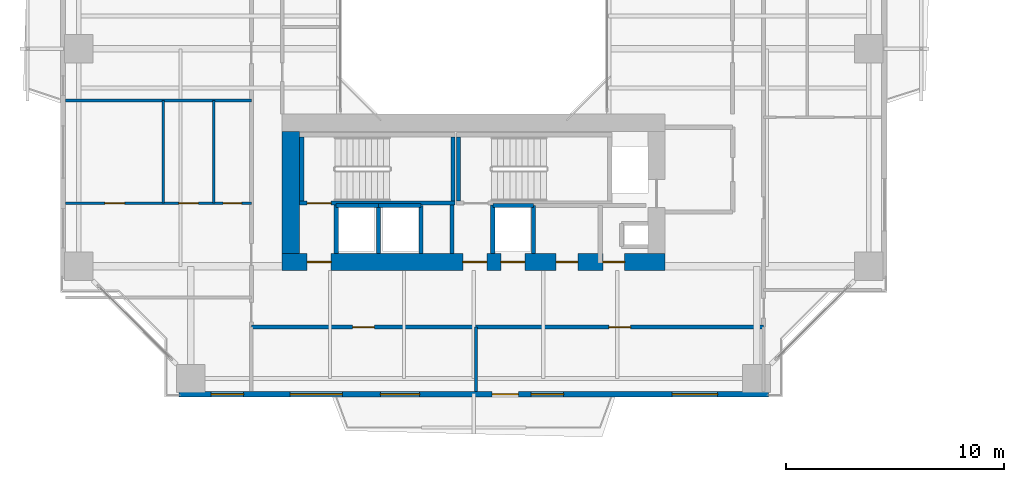
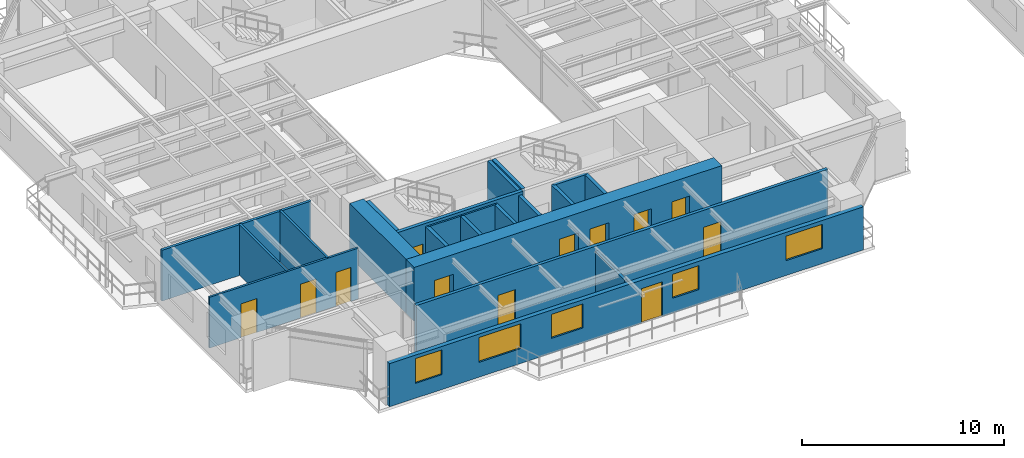
# One storey, part 12 of 24: 22 walls, 12 doors, 5 windows, 17 openings.
"""IFC4 building model written with IfcOpenShell, lengths in metres."""

from ifc_helpers import new_model, si_unit, direction, frame, frame_2d, origin, place, context, subcontext, project, spatial, rectangle, extrude, source, transform, mapped, material, layer, layer_set, type_object, element, fill, save


model = new_model("IFC4")

# Units and contexts
model_context = context("Model", 3, precision=1e-05, world=origin(), true_north=direction((0.0, 1.0)))
body_context = subcontext(model_context, "Body", "Model", "MODEL_VIEW")
ifc_project = project(units=[si_unit("LENGTHUNIT", "METRE"), si_unit("AREAUNIT", "SQUARE_METRE"), si_unit("VOLUMEUNIT", "CUBIC_METRE"), si_unit("PLANEANGLEUNIT", "RADIAN"), si_unit("MASSUNIT", "GRAM", prefix="KILO"), si_unit("THERMODYNAMICTEMPERATUREUNIT", "KELVIN"), si_unit("POWERUNIT", "WATT")], contexts=[model_context])

# Site, building, storey
site_placement = place(None, origin())
site = spatial("IfcSite", under=ifc_project, at=site_placement, CompositionType="ELEMENT")
building_placement = place(site_placement, origin())
building = spatial("IfcBuilding", under=site, at=building_placement, Name="Qiaomeng Ring Towers", CompositionType="ELEMENT")
storey_placement = place(building_placement, frame((0.0, 0.0, 69.75)))
storey = spatial("IfcBuildingStorey", under=building, at=storey_placement, Name="L19", CompositionType="ELEMENT", Elevation=69.75)

# Wall, openings, windows, door
ifc_material_1 = material(Name="Precast concrete C40", Category="concrete")
ifc_layer_1 = layer(ifc_material_1, 0.25, Name="Precast concrete C40")
ifc_layer_set_1 = layer_set([ifc_layer_1], Name="Precast concrete C40")
wall_type_1 = type_object("IfcWallType", Name="ARC-WL-EW1", PredefinedType="STANDARD", material=ifc_layer_set_1)
wall_1_placement = place(storey_placement, frame((5.449951171875, 4.125, 0.0), z_axis=(0.0, 0.0, 1.0), x_axis=(1.0, 0.0, 0.0)))
wall_1 = element("IfcWall", 1, at=wall_1_placement, inside=storey, type_object=wall_type_1, Name="L19 Tower 1 S Exterior Wall", PredefinedType="STANDARD", context=body_context, shape_type="SweptSolid", body=[
    extrude(rectangle(XDim=27.10009765625, YDim=0.25, at=frame_2d((13.550048828125, 0.0))), origin(), (0.0, 0.0, 1.0), 2.610107421875),
])
opening_1_placement = place(wall_1_placement, frame((14.39990234375, 0.0, 0.0)))
opening_1 = element("IfcOpeningElement", 2, at=opening_1_placement, cuts=wall_1, Name="Opening BD1", PredefinedType="OPENING", context=body_context, shape_type="SweptSolid", body=[
    extrude(rectangle(XDim=1.199951171875, YDim=2.10009765625, at=frame_2d((0.60009765625, 1.050048828125))), frame((0.0, 0.135009765625, 0.0), z_axis=(0.0, -1.0, 0.0), x_axis=(1.0, 0.0, 0.0)), (0.0, 0.0, 1.0), 0.27001953125),
])
opening_2_placement = place(wall_1_placement, frame((1.47998046875, 0.0, 0.89990234375)))
opening_2 = element("IfcOpeningElement", 3, at=opening_2_placement, cuts=wall_1, Name="Opening WN2", PredefinedType="OPENING", context=body_context, shape_type="SweptSolid", body=[
    extrude(rectangle(XDim=1.5, YDim=1.5, at=frame_2d((0.75, 0.75))), frame((0.0, 0.135009765625, 0.0), z_axis=(0.0, -1.0, 0.0), x_axis=(1.0, 0.0, 0.0)), (0.0, 0.0, 1.0), 0.27001953125),
])
opening_3_placement = place(wall_1_placement, frame((9.262939453125, 0.0, 0.89990234375)))
opening_3 = element("IfcOpeningElement", 4, at=opening_3_placement, cuts=wall_1, Name="Opening WN1", PredefinedType="OPENING", context=body_context, shape_type="SweptSolid", body=[
    extrude(rectangle(XDim=1.800048828125, YDim=1.449951171875, at=frame_2d((0.89990234375, 0.72509765625))), frame((0.0, 0.135009765625, 0.0), z_axis=(0.0, -1.0, 0.0), x_axis=(1.0, 0.0, 0.0)), (0.0, 0.0, 1.0), 0.27001953125),
])
opening_4_placement = place(wall_1_placement, frame((16.18798828125, 0.0, 0.89990234375)))
opening_4 = element("IfcOpeningElement", 5, at=opening_4_placement, cuts=wall_1, Name="Opening WN2", PredefinedType="OPENING", context=body_context, shape_type="SweptSolid", body=[
    extrude(rectangle(XDim=1.5, YDim=1.449951171875, at=frame_2d((0.75, 0.72509765625))), frame((0.0, 0.135009765625, 0.0), z_axis=(0.0, -1.0, 0.0), x_axis=(1.0, 0.0, 0.0)), (0.0, 0.0, 1.0), 0.27001953125),
])
opening_5_placement = place(wall_1_placement, frame((22.6630859375, 0.0, 0.89990234375)))
opening_5 = element("IfcOpeningElement", 6, at=opening_5_placement, cuts=wall_1, Name="Opening WN4", PredefinedType="OPENING", context=body_context, shape_type="SweptSolid", body=[
    extrude(rectangle(XDim=2.10009765625, YDim=1.47998046875, at=frame_2d((1.050048828125, 0.739990234375))), frame((0.0, 0.135009765625, 0.0), z_axis=(0.0, -1.0, 0.0), x_axis=(1.0, 0.0, 0.0)), (0.0, 0.0, 1.0), 0.27001953125),
])
opening_6_placement = place(wall_1_placement, frame((5.114013671875, 0.0, 0.89990234375)))
opening_6 = element("IfcOpeningElement", 7, at=opening_6_placement, cuts=wall_1, Name="Opening WN6", PredefinedType="OPENING", context=body_context, shape_type="SweptSolid", body=[
    extrude(rectangle(XDim=2.39990234375, YDim=1.5, at=frame_2d((1.199951171875, 0.75))), frame((0.0, 0.135009765625, 0.0), z_axis=(0.0, -1.0, 0.0), x_axis=(1.0, 0.0, 0.0)), (0.0, 0.0, 1.0), 0.27001953125),
])
ifc_material_2 = material(Name="Low-E dark-grey laminated double glazing", Category="glass")
window_type_1 = type_object("IfcWindowType", Name="ARC-WN-2", PartitioningType="DOUBLE_PANEL_VERTICAL", PredefinedType="WINDOW", material=ifc_material_2)
shared_shape_1 = source(origin(), body_context, "Body", "SweptSolid", [
    extrude(rectangle(XDim=1.5, YDim=1.449951171875, at=frame_2d((0.75, 0.72509765625))), frame((0.0, 0.030029296875, 0.0), z_axis=(0.0, -1.0, 0.0), x_axis=(1.0, 0.0, 0.0)), (0.0, 0.0, 1.0), 0.06005859375),
])
window_1_placement = place(opening_4_placement, origin())
window_1 = element("IfcWindow", 8, at=window_1_placement, inside=storey, type_object=window_type_1, Name="L19 Exterior Window WN2", OverallHeight=1.449951171875, OverallWidth=1.5, PartitioningType="DOUBLE_PANEL_VERTICAL", PredefinedType="WINDOW", context=body_context, shape_type="MappedRepresentation", body=[
    mapped(shared_shape_1, transform((0.0, 0.0, 0.0), x_axis=(1.0, 0.0, 0.0), y_axis=(0.0, 1.0, 0.0), z_axis=(0.0, 0.0, 1.0), scale=1.0)),
])
fill(opening_4, window_1)
window_type_2 = type_object("IfcWindowType", Name="ARC-WN-4", PartitioningType="TRIPLE_PANEL_VERTICAL", PredefinedType="WINDOW", material=ifc_material_2)
shared_shape_2 = source(origin(), body_context, "Body", "SweptSolid", [
    extrude(rectangle(XDim=2.10009765625, YDim=1.47998046875, at=frame_2d((1.050048828125, 0.739990234375))), frame((0.0, 0.030029296875, 0.0), z_axis=(0.0, -1.0, 0.0), x_axis=(1.0, 0.0, 0.0)), (0.0, 0.0, 1.0), 0.06005859375),
])
window_2_placement = place(opening_5_placement, origin())
window_2 = element("IfcWindow", 9, at=window_2_placement, inside=storey, type_object=window_type_2, Name="L19 Exterior Window WN4", OverallHeight=1.47998046875, OverallWidth=2.10009765625, PartitioningType="TRIPLE_PANEL_VERTICAL", PredefinedType="WINDOW", context=body_context, shape_type="MappedRepresentation", body=[
    mapped(shared_shape_2, transform((0.0, 0.0, 0.0), x_axis=(1.0, 0.0, 0.0), y_axis=(0.0, 1.0, 0.0), z_axis=(0.0, 0.0, 1.0), scale=1.0)),
])
fill(opening_5, window_2)
window_type_3 = type_object("IfcWindowType", Name="ARC-WN-1", PartitioningType="DOUBLE_PANEL_VERTICAL", PredefinedType="WINDOW", material=ifc_material_2)
shared_shape_3 = source(origin(), body_context, "Body", "SweptSolid", [
    extrude(rectangle(XDim=1.800048828125, YDim=1.449951171875, at=frame_2d((0.89990234375, 0.72509765625))), frame((0.0, 0.030029296875, 0.0), z_axis=(0.0, -1.0, 0.0), x_axis=(1.0, 0.0, 0.0)), (0.0, 0.0, 1.0), 0.06005859375),
])
window_3_placement = place(opening_3_placement, origin())
window_3 = element("IfcWindow", 10, at=window_3_placement, inside=storey, type_object=window_type_3, Name="L19 Exterior Window WN1", OverallHeight=1.449951171875, OverallWidth=1.800048828125, PartitioningType="DOUBLE_PANEL_VERTICAL", PredefinedType="WINDOW", context=body_context, shape_type="MappedRepresentation", body=[
    mapped(shared_shape_3, transform((0.0, 0.0, 0.0), x_axis=(1.0, 0.0, 0.0), y_axis=(0.0, 1.0, 0.0), z_axis=(0.0, 0.0, 1.0), scale=1.0)),
])
fill(opening_3, window_3)
door_type_1 = type_object("IfcDoorType", Name="ARC-DR-BD1", OperationType="NOTDEFINED", PredefinedType="DOOR", material=ifc_material_2)
shared_shape_4 = source(origin(), body_context, "Body", "SweptSolid", [
    extrude(rectangle(XDim=1.199951171875, YDim=2.10009765625, at=frame_2d((0.60009765625, 1.050048828125))), frame((0.0, 0.02490234375, 0.0), z_axis=(0.0, -1.0, 0.0), x_axis=(1.0, 0.0, 0.0)), (0.0, 0.0, 1.0), 0.050048828125),
])
door_1_placement = place(opening_1_placement, frame((1.199951171875, 0.0, 0.0), z_axis=(0.0, 0.0, 1.0), x_axis=(-1.0, 0.0, 0.0)))
door_1 = element("IfcDoor", 11, at=door_1_placement, inside=storey, type_object=door_type_1, Name="L19 S Balcony Glazed Door", OperationType="SINGLE_SWING_LEFT", OverallHeight=2.10009765625, OverallWidth=1.199951171875, PredefinedType="DOOR", context=body_context, shape_type="MappedRepresentation", body=[
    mapped(shared_shape_4, transform((0.0, 0.0, 0.0), x_axis=(1.0, 0.0, 0.0), y_axis=(0.0, 1.0, 0.0), z_axis=(0.0, 0.0, 1.0), scale=1.0)),
])
fill(opening_1, door_1)
shared_shape_5 = source(origin(), body_context, "Body", "SweptSolid", [
    extrude(rectangle(XDim=1.5, YDim=1.5, at=frame_2d((0.75, 0.75))), frame((0.0, 0.030029296875, 0.0), z_axis=(0.0, -1.0, 0.0), x_axis=(1.0, 0.0, 0.0)), (0.0, 0.0, 1.0), 0.06005859375),
])
window_4_placement = place(opening_2_placement, origin())
window_4 = element("IfcWindow", 12, at=window_4_placement, inside=storey, type_object=window_type_1, Name="L19 Exterior Window WN6", OverallHeight=1.5, OverallWidth=1.5, PartitioningType="TRIPLE_PANEL_VERTICAL", PredefinedType="WINDOW", context=body_context, shape_type="MappedRepresentation", body=[
    mapped(shared_shape_5, transform((0.0, 0.0, 0.0), x_axis=(1.0, 0.0, 0.0), y_axis=(0.0, 1.0, 0.0), z_axis=(0.0, 0.0, 1.0), scale=1.0)),
])
fill(opening_2, window_4)
window_type_4 = type_object("IfcWindowType", Name="ARC-WN-6", PartitioningType="TRIPLE_PANEL_VERTICAL", PredefinedType="WINDOW", material=ifc_material_2)
shared_shape_6 = source(origin(), body_context, "Body", "SweptSolid", [
    extrude(rectangle(XDim=2.39990234375, YDim=1.5, at=frame_2d((1.199951171875, 0.75))), frame((0.0, 0.030029296875, 0.0), z_axis=(0.0, -1.0, 0.0), x_axis=(1.0, 0.0, 0.0)), (0.0, 0.0, 1.0), 0.06005859375),
])
window_5_placement = place(opening_6_placement, origin())
window_5 = element("IfcWindow", 13, at=window_5_placement, inside=storey, type_object=window_type_4, Name="L19 Exterior Window WN6", OverallHeight=1.5, OverallWidth=2.39990234375, PartitioningType="TRIPLE_PANEL_VERTICAL", PredefinedType="WINDOW", context=body_context, shape_type="MappedRepresentation", body=[
    mapped(shared_shape_6, transform((0.0, 0.0, 0.0), x_axis=(1.0, 0.0, 0.0), y_axis=(0.0, 1.0, 0.0), z_axis=(0.0, 0.0, 1.0), scale=1.0)),
])
fill(opening_6, window_5)

# Walls
ifc_material_3 = material(Name="Autoclaved aerated concrete block", Category="concrete")
ifc_layer_2 = layer(ifc_material_3, 0.199951171875, Name="Autoclaved aerated concrete block")
ifc_layer_set_2 = layer_set([ifc_layer_2], Name="Autoclaved aerated concrete block")
wall_type_2 = type_object("IfcWallType", Name="ARC-WL-PW1", PredefinedType="PARTITIONING", material=ifc_layer_set_2)
for number, where, z_axis, x_axis, name in (
    (14, (12.679931640625, 10.60009765625, 0.0), (0.0, 0.0, 1.0), (0.0, 1.0, 0.0), "L19 Interior Wall PW1"),
    (15, (18.0, 10.60009765625, 0.0), (0.0, 0.0, 1.0), (0.0, 1.0, 0.0), "L19 Interior Wall PW1"),
    (16, (19.8798828125, 10.60009765625, 0.0), (0.0, 0.0, 1.0), (0.0, 1.0, 0.0), "L19 Interior Wall PW1"),
):
    element("IfcWall", number, at=place(storey_placement, frame(where, z_axis=z_axis, x_axis=x_axis)), inside=storey, type_object=wall_type_2, Name=name, PredefinedType="PARTITIONING", context=body_context, shape_type="SweptSolid", body=[
        extrude(rectangle(XDim=2.2099609375, YDim=0.199951171875, at=frame_2d((1.10498046875, 0.0))), origin(), (0.0, 0.0, 1.0), 3.070068359375),
    ])
wall_2_placement = place(storey_placement, frame((21.75, 10.60009765625, 0.0), z_axis=(0.0, 0.0, 1.0), x_axis=(0.0, 1.0, 0.0)))
element("IfcWall", 17, at=wall_2_placement, inside=storey, type_object=wall_type_2, Name="L19 Interior Wall PW1", PredefinedType="PARTITIONING", context=body_context, shape_type="SweptSolid", body=[
    extrude(rectangle(XDim=2.199951171875, YDim=0.199951171875, at=frame_2d((1.10009765625, 0.0))), origin(), (0.0, 0.0, 1.0), 3.070068359375),
])

# Wall, openings, doors
ifc_layer_3 = layer(ifc_material_3, 0.179931640625, Name="Autoclaved aerated concrete block")
ifc_layer_set_3 = layer_set([ifc_layer_3], Name="Autoclaved aerated concrete block")
wall_type_3 = type_object("IfcWallType", Name="ARC-WL-PW2", PredefinedType="PARTITIONING", material=ifc_layer_set_3)
wall_3_placement = place(storey_placement, frame((8.780029296875, 7.2099609375, 0.0), z_axis=(0.0, 0.0, 1.0), x_axis=(1.0, 0.0, 0.0)))
wall_3 = element("IfcWall", 18, at=wall_3_placement, inside=storey, type_object=wall_type_3, Name="L19 Interior Wall PW2", PredefinedType="PARTITIONING", context=body_context, shape_type="SweptSolid", body=[
    extrude(rectangle(XDim=23.5400390625, YDim=0.179931640625, at=frame_2d((11.77001953125, 0.0))), origin(), (0.0, 0.0, 1.0), 3.070068359375),
])
opening_7_placement = place(wall_3_placement, frame((4.659912109375, 0.0, 0.0)))
opening_7 = element("IfcOpeningElement", 19, at=opening_7_placement, cuts=wall_3, Name="Opening FD4", PredefinedType="OPENING", context=body_context, shape_type="SweptSolid", body=[
    extrude(rectangle(XDim=1.0, YDim=2.050048828125, at=frame_2d((0.5, 1.02490234375))), frame((0.0, 0.099853515625, 0.0), z_axis=(0.0, -1.0, 0.0), x_axis=(1.0, 0.0, 0.0)), (0.0, 0.0, 1.0), 0.199951171875),
])
opening_8_placement = place(wall_3_placement, frame((16.429931640625, 0.0, 0.0)))
opening_8 = element("IfcOpeningElement", 20, at=opening_8_placement, cuts=wall_3, Name="Opening FD4", PredefinedType="OPENING", context=body_context, shape_type="SweptSolid", body=[
    extrude(rectangle(XDim=1.0, YDim=2.050048828125, at=frame_2d((0.5, 1.02490234375))), frame((0.0, 0.099853515625, 0.0), z_axis=(0.0, -1.0, 0.0), x_axis=(1.0, 0.0, 0.0)), (0.0, 0.0, 1.0), 0.199951171875),
])
ifc_material_4 = material(Name="Engineered fire-rated oak timber", Category="wood")
door_type_2 = type_object("IfcDoorType", Name="ARC-DR-FD4", OperationType="NOTDEFINED", PredefinedType="DOOR", material=ifc_material_4)
shared_shape_7 = source(origin(), body_context, "Body", "SweptSolid", [
    extrude(rectangle(XDim=1.0, YDim=2.050048828125, at=frame_2d((0.5, 1.02490234375))), frame((0.0, 0.02490234375, 0.0), z_axis=(0.0, -1.0, 0.0), x_axis=(1.0, 0.0, 0.0)), (0.0, 0.0, 1.0), 0.050048828125),
])
door_2_placement = place(opening_7_placement, origin())
door_2 = element("IfcDoor", 21, at=door_2_placement, inside=storey, type_object=door_type_2, Name="L19 Door FD4", OperationType="SINGLE_SWING_LEFT", OverallHeight=2.050048828125, OverallWidth=1.0, PredefinedType="DOOR", context=body_context, shape_type="MappedRepresentation", body=[
    mapped(shared_shape_7, transform((0.0, 0.0, 0.0), x_axis=(1.0, 0.0, 0.0), y_axis=(0.0, 1.0, 0.0), z_axis=(0.0, 0.0, 1.0), scale=1.0)),
])
fill(opening_7, door_2)
door_3_placement = place(opening_8_placement, origin())
door_3 = element("IfcDoor", 22, at=door_3_placement, inside=storey, type_object=door_type_2, Name="L19 Door FD4", OperationType="SINGLE_SWING_RIGHT", OverallHeight=2.050048828125, OverallWidth=1.0, PredefinedType="DOOR", context=body_context, shape_type="MappedRepresentation", body=[
    mapped(shared_shape_7, transform((0.0, 0.0, 0.0), x_axis=(1.0, 0.0, 0.0), y_axis=(0.0, 1.0, 0.0), z_axis=(0.0, 0.0, 1.0), scale=1.0)),
])
fill(opening_8, door_3)

# Walls
ifc_material_5 = material(Name="Gypsum fireboard steel-stud partition", Category="steel")
ifc_layer_4 = layer(ifc_material_5, 0.14990234375, Name="Gypsum fireboard steel-stud partition")
ifc_layer_set_4 = layer_set([ifc_layer_4], Name="Gypsum fireboard steel-stud partition")
wall_type_4 = type_object("IfcWallType", Name="ARC-WL-PW3", PredefinedType="PARTITIONING", material=ifc_layer_set_4)
wall_4_placement = place(storey_placement, frame((19.10009765625, 4.25, 0.0), z_axis=(0.0, 0.0, 1.0), x_axis=(0.0, 1.0, 0.0)))
element("IfcWall", 23, at=wall_4_placement, inside=storey, type_object=wall_type_4, Name="L19 Interior Wall PW3", PredefinedType="PARTITIONING", context=body_context, shape_type="SweptSolid", body=[
    extrude(rectangle(XDim=2.9599609375, YDim=0.14990234375, at=frame_2d((1.47998046875, 0.0))), origin(), (0.0, 0.0, 1.0), 2.764892578125),
])
wall_5_placement = place(storey_placement, frame((0.25, 17.6201171875, 0.0), z_axis=(0.0, 0.0, 1.0), x_axis=(1.0, 0.0, 0.0)))
element("IfcWall", 24, at=wall_5_placement, inside=storey, type_object=wall_type_4, Name="L19 Interior Wall PW3", PredefinedType="PARTITIONING", context=body_context, shape_type="SweptSolid", body=[
    extrude(rectangle(XDim=8.530029296875, YDim=0.14990234375, at=frame_2d((4.26513671875, 0.0))), origin(), (0.0, 0.0, 1.0), 3.070068359375),
])

# Wall, openings, doors
ifc_material_6 = material(Name="Moisture-resistant gypsum steel-stud partition", Category="steel")
ifc_layer_5 = layer(ifc_material_6, 0.1201171875, Name="Moisture-resistant gypsum steel-stud partition")
ifc_layer_set_5 = layer_set([ifc_layer_5], Name="Moisture-resistant gypsum steel-stud partition")
wall_type_5 = type_object("IfcWallType", Name="ARC-WL-PW4", PredefinedType="PLUMBINGWALL", material=ifc_layer_set_5)
wall_6_placement = place(storey_placement, frame((0.25, 12.909912109375, 0.0), z_axis=(0.0, 0.0, 1.0), x_axis=(1.0, 0.0, 0.0)))
wall_6 = element("IfcWall", 25, at=wall_6_placement, inside=storey, type_object=wall_type_5, Name="L19 Interior Wall PW4", PredefinedType="PLUMBINGWALL", context=body_context, shape_type="SweptSolid", body=[
    extrude(rectangle(XDim=8.530029296875, YDim=0.1201171875, at=frame_2d((4.26513671875, 0.0))), origin(), (0.0, 0.0, 1.0), 3.070068359375),
])
opening_9_placement = place(wall_6_placement, frame((1.804931640625, 0.0, 0.0)))
opening_9 = element("IfcOpeningElement", 26, at=opening_9_placement, cuts=wall_6, Name="Opening ID1", PredefinedType="OPENING", context=body_context, shape_type="SweptSolid", body=[
    extrude(rectangle(XDim=0.89990234375, YDim=2.050048828125, at=frame_2d((0.449951171875, 1.02490234375))), frame((0.0, 0.070068359375, 0.0), z_axis=(0.0, -1.0, 0.0), x_axis=(1.0, 0.0, 0.0)), (0.0, 0.0, 1.0), 0.14013671875),
])
opening_10_placement = place(wall_6_placement, frame((5.199951171875, 0.0, 0.0)))
opening_10 = element("IfcOpeningElement", 27, at=opening_10_placement, cuts=wall_6, Name="Opening ID1", PredefinedType="OPENING", context=body_context, shape_type="SweptSolid", body=[
    extrude(rectangle(XDim=0.89990234375, YDim=2.050048828125, at=frame_2d((0.449951171875, 1.02490234375))), frame((0.0, 0.070068359375, 0.0), z_axis=(0.0, -1.0, 0.0), x_axis=(1.0, 0.0, 0.0)), (0.0, 0.0, 1.0), 0.14013671875),
])
opening_11_placement = place(wall_6_placement, frame((7.235107421875, 0.0, 0.0)))
opening_11 = element("IfcOpeningElement", 28, at=opening_11_placement, cuts=wall_6, Name="Opening ID2", PredefinedType="OPENING", context=body_context, shape_type="SweptSolid", body=[
    extrude(rectangle(XDim=0.85009765625, YDim=2.050048828125, at=frame_2d((0.425048828125, 1.02490234375))), frame((0.0, 0.070068359375, 0.0), z_axis=(0.0, -1.0, 0.0), x_axis=(1.0, 0.0, 0.0)), (0.0, 0.0, 1.0), 0.14013671875),
])
ifc_material_7 = material(Name="Moisture-resistant engineered timber", Category="wood")
door_type_3 = type_object("IfcDoorType", Name="ARC-DR-ID2", OperationType="NOTDEFINED", PredefinedType="DOOR", material=ifc_material_7)
shared_shape_8 = source(origin(), body_context, "Body", "SweptSolid", [
    extrude(rectangle(XDim=0.85009765625, YDim=2.050048828125, at=frame_2d((0.425048828125, 1.02490234375))), frame((0.0, 0.02490234375, 0.0), z_axis=(0.0, -1.0, 0.0), x_axis=(1.0, 0.0, 0.0)), (0.0, 0.0, 1.0), 0.050048828125),
])
door_4_placement = place(opening_11_placement, origin())
door_4 = element("IfcDoor", 29, at=door_4_placement, inside=storey, type_object=door_type_3, Name="L19 Door ID2", OperationType="SINGLE_SWING_LEFT", OverallHeight=2.050048828125, OverallWidth=0.85009765625, PredefinedType="DOOR", context=body_context, shape_type="MappedRepresentation", body=[
    mapped(shared_shape_8, transform((0.0, 0.0, 0.0), x_axis=(1.0, 0.0, 0.0), y_axis=(0.0, 1.0, 0.0), z_axis=(0.0, 0.0, 1.0), scale=1.0)),
])
fill(opening_11, door_4)
ifc_material_8 = material(Name="Engineered oak timber", Category="wood")
door_type_4 = type_object("IfcDoorType", Name="ARC-DR-ID1", OperationType="NOTDEFINED", PredefinedType="DOOR", material=ifc_material_8)
shared_shape_9 = source(origin(), body_context, "Body", "SweptSolid", [
    extrude(rectangle(XDim=0.89990234375, YDim=2.050048828125, at=frame_2d((0.449951171875, 1.02490234375))), frame((0.0, 0.02490234375, 0.0), z_axis=(0.0, -1.0, 0.0), x_axis=(1.0, 0.0, 0.0)), (0.0, 0.0, 1.0), 0.050048828125),
])
door_5_placement = place(opening_9_placement, origin())
door_5 = element("IfcDoor", 30, at=door_5_placement, inside=storey, type_object=door_type_4, Name="L19 Door ID1", OperationType="SINGLE_SWING_LEFT", OverallHeight=2.050048828125, OverallWidth=0.89990234375, PredefinedType="DOOR", context=body_context, shape_type="MappedRepresentation", body=[
    mapped(shared_shape_9, transform((0.0, 0.0, 0.0), x_axis=(1.0, 0.0, 0.0), y_axis=(0.0, 1.0, 0.0), z_axis=(0.0, 0.0, 1.0), scale=1.0)),
])
fill(opening_9, door_5)
door_6_placement = place(opening_10_placement, origin())
door_6 = element("IfcDoor", 31, at=door_6_placement, inside=storey, type_object=door_type_4, Name="L19 Door ID1", OperationType="SINGLE_SWING_RIGHT", OverallHeight=2.050048828125, OverallWidth=0.89990234375, PredefinedType="DOOR", context=body_context, shape_type="MappedRepresentation", body=[
    mapped(shared_shape_9, transform((0.0, 0.0, 0.0), x_axis=(1.0, 0.0, 0.0), y_axis=(0.0, 1.0, 0.0), z_axis=(0.0, 0.0, 1.0), scale=1.0)),
])
fill(opening_10, door_6)

# Walls
for number, where, z_axis, x_axis, name in (
    (32, (4.739990234375, 12.909912109375, 0.0), (0.0, 0.0, 1.0), (0.0, 1.0, 0.0), "L19 Interior Wall PW4"),
    (33, (7.06005859375, 12.909912109375, 0.0), (0.0, 0.0, 1.0), (0.0, 1.0, 0.0), "L19 Interior Wall PW4"),
):
    element("IfcWall", number, at=place(storey_placement, frame(where, z_axis=z_axis, x_axis=x_axis)), inside=storey, type_object=wall_type_5, Name=name, PredefinedType="PLUMBINGWALL", context=body_context, shape_type="SweptSolid", body=[
        extrude(rectangle(XDim=4.710205078125, YDim=0.1201171875, at=frame_2d((2.35498046875, 0.0))), origin(), (0.0, 0.0, 1.0), 3.070068359375),
    ])
ifc_material_9 = material(Name="Concrete C40", Category="concrete")
ifc_layer_6 = layer(ifc_material_9, 0.199951171875, Name="Concrete C40")
ifc_layer_set_6 = layer_set([ifc_layer_6], Name="Concrete C40")
wall_type_6 = type_object("IfcWallType", Name="STR-WL-STSHAFT", PredefinedType="SHEAR", material=ifc_layer_set_6)
wall_7_placement = place(storey_placement, frame((12.679931640625, 12.800048828125, 0.0), z_axis=(0.0, 0.0, 1.0), x_axis=(1.0, 0.0, 0.0)))
element("IfcWall", 34, at=wall_7_placement, inside=storey, type_object=wall_type_6, Name="L19 Lift LP6 Shaft Back Wall", PredefinedType="SHEAR", context=body_context, shape_type="SweptSolid", body=[
    extrude(rectangle(XDim=1.940185546875, YDim=0.179931640625, at=frame_2d((0.97021484375, 0.0))), origin(), (0.0, 0.0, 1.0), 3.070068359375),
])
wall_8_placement = place(storey_placement, frame((14.6201171875, 10.60009765625, 0.0), z_axis=(0.0, 0.0, 1.0), x_axis=(0.0, 1.0, 0.0)))
element("IfcWall", 35, at=wall_8_placement, inside=storey, type_object=wall_type_6, Name="L19 Lift LP6-LP4 Shaft Divider Wall", PredefinedType="SHEAR", context=body_context, shape_type="SweptSolid", body=[
    extrude(rectangle(XDim=2.199951171875, YDim=0.179931640625, at=frame_2d((1.10009765625, 0.0))), origin(), (0.0, 0.0, 1.0), 3.070068359375),
])
wall_9_placement = place(storey_placement, frame((14.6201171875, 12.800048828125, 0.0), z_axis=(0.0, 0.0, 1.0), x_axis=(1.0, 0.0, 0.0)))
element("IfcWall", 36, at=wall_9_placement, inside=storey, type_object=wall_type_6, Name="L19 Lift LP4 Shaft Back Wall", PredefinedType="SHEAR", context=body_context, shape_type="SweptSolid", body=[
    extrude(rectangle(XDim=1.9599609375, YDim=0.179931640625, at=frame_2d((0.97998046875, 0.0))), origin(), (0.0, 0.0, 1.0), 3.070068359375),
])
wall_10_placement = place(storey_placement, frame((16.580078125, 10.60009765625, 0.0), z_axis=(0.0, 0.0, 1.0), x_axis=(0.0, 1.0, 0.0)))
element("IfcWall", 37, at=wall_10_placement, inside=storey, type_object=wall_type_6, Name="L19 Lift LP4 East Shaft Wall", PredefinedType="SHEAR", context=body_context, shape_type="SweptSolid", body=[
    extrude(rectangle(XDim=2.199951171875, YDim=0.179931640625, at=frame_2d((1.10009765625, 0.0))), origin(), (0.0, 0.0, 1.0), 3.070068359375),
])
wall_11_placement = place(storey_placement, frame((19.8798828125, 12.800048828125, 0.0), z_axis=(0.0, 0.0, 1.0), x_axis=(1.0, 0.0, 0.0)))
element("IfcWall", 38, at=wall_11_placement, inside=storey, type_object=wall_type_6, Name="L19 Lift LP2 Shaft Back Wall", PredefinedType="SHEAR", context=body_context, shape_type="SweptSolid", body=[
    extrude(rectangle(XDim=1.8701171875, YDim=0.179931640625, at=frame_2d((0.93505859375, 0.0))), origin(), (0.0, 0.0, 1.0), 3.070068359375),
])

# Wall, opening, door
wall_12_placement = place(storey_placement, frame((11.0, 12.909912109375, 0.0), z_axis=(0.0, 0.0, 1.0), x_axis=(1.0, 0.0, 0.0)))
wall_12 = element("IfcWall", 39, at=wall_12_placement, inside=storey, type_object=wall_type_6, Name="L19 Stair ST3 South Shaft Shear Wall", PredefinedType="SHEAR", context=body_context, shape_type="SweptSolid", body=[
    extrude(rectangle(XDim=7.14990234375, YDim=0.199951171875, at=frame_2d((3.574951171875, 0.0))), origin(), (0.0, 0.0, 1.0), 3.25),
])
opening_12_placement = place(wall_12_placement, frame((0.35009765625, 0.0, 0.0)))
opening_12 = element("IfcOpeningElement", 40, at=opening_12_placement, cuts=wall_12, Name="Opening FD3", PredefinedType="OPENING", context=body_context, shape_type="SweptSolid", body=[
    extrude(rectangle(XDim=1.10009765625, YDim=2.050048828125, at=frame_2d((0.550048828125, 1.02490234375))), frame((0.0, 0.10986328125, 0.0), z_axis=(0.0, -1.0, 0.0), x_axis=(1.0, 0.0, 0.0)), (0.0, 0.0, 1.0), 0.219970703125),
])
ifc_material_10 = material(Name="Galvanised steel", Category="steel")
door_type_5 = type_object("IfcDoorType", Name="ARC-DR-FD3", OperationType="NOTDEFINED", PredefinedType="DOOR", material=ifc_material_10)
shared_shape_10 = source(origin(), body_context, "Body", "SweptSolid", [
    extrude(rectangle(XDim=1.10009765625, YDim=2.050048828125, at=frame_2d((0.550048828125, 1.02490234375))), frame((0.0, 0.02490234375, 0.0), z_axis=(0.0, -1.0, 0.0), x_axis=(1.0, 0.0, 0.0)), (0.0, 0.0, 1.0), 0.050048828125),
])
door_7_placement = place(opening_12_placement, frame((1.10009765625, 0.0, 0.0), z_axis=(0.0, 0.0, 1.0), x_axis=(-1.0, 0.0, 0.0)))
door_7 = element("IfcDoor", 41, at=door_7_placement, inside=storey, type_object=door_type_5, Name="L19 Stair ST3 Exit Door", OperationType="SINGLE_SWING_LEFT", OverallHeight=2.050048828125, OverallWidth=1.10009765625, PredefinedType="DOOR", context=body_context, shape_type="MappedRepresentation", body=[
    mapped(shared_shape_10, transform((0.0, 0.0, 0.0), x_axis=(1.0, 0.0, 0.0), y_axis=(0.0, 1.0, 0.0), z_axis=(0.0, 0.0, 1.0), scale=1.0)),
])
fill(opening_12, door_7)

# Walls
for number, where, z_axis, x_axis, name in (
    (42, (11.10009765625, 13.010009765625, 0.0), (0.0, 0.0, 1.0), (0.0, 1.0, 0.0), "L19 Stair ST3 West Shaft Shear Wall"),
    (43, (18.050048828125, 13.010009765625, 0.0), (0.0, 0.0, 1.0), (0.0, 1.0, 0.0), "L19 Stair ST3 East Shaft Shear Wall"),
    (44, (18.300048828125, 13.010009765625, 0.0), (0.0, 0.0, 1.0), (0.0, 1.0, 0.0), "L19 Stair ST4 West Shaft Shear Wall"),
):
    element("IfcWall", number, at=place(storey_placement, frame(where, z_axis=z_axis, x_axis=x_axis)), inside=storey, type_object=wall_type_6, Name=name, PredefinedType="SHEAR", context=body_context, shape_type="SweptSolid", body=[
        extrude(rectangle(XDim=2.93994140625, YDim=0.199951171875, at=frame_2d((1.469970703125, 0.0))), origin(), (0.0, 0.0, 1.0), 3.25),
    ])

# Wall, openings, doors
ifc_material_11 = material(Name="Concrete C60", Category="concrete")
ifc_layer_7 = layer(ifc_material_11, 0.800048828125, Name="Concrete C60")
ifc_layer_set_7 = layer_set([ifc_layer_7], Name="Concrete C60")
wall_type_7 = type_object("IfcWallType", Name="STR-WL-SW1", PredefinedType="SHEAR", material=ifc_layer_set_7)
wall_13_placement = place(storey_placement, frame((10.199951171875, 10.199951171875, 0.0), z_axis=(0.0, 0.0, 1.0), x_axis=(1.0, 0.0, 0.0)))
wall_13 = element("IfcWall", 45, at=wall_13_placement, inside=storey, type_object=wall_type_7, Name="L19 T1SC south core shear wall", PredefinedType="SHEAR", context=body_context, shape_type="SweptSolid", body=[
    extrude(rectangle(XDim=17.60009765625, YDim=0.800048828125, at=frame_2d((8.800048828125, 0.0))), origin(), (0.0, 0.0, 1.0), 3.25),
])
opening_13_placement = place(wall_13_placement, frame((1.14990234375, 0.0, 0.0)))
opening_13 = element("IfcOpeningElement", 46, at=opening_13_placement, cuts=wall_13, Name="Opening FD3", PredefinedType="OPENING", context=body_context, shape_type="SweptSolid", body=[
    extrude(rectangle(XDim=1.10009765625, YDim=2.050048828125, at=frame_2d((0.550048828125, 1.02490234375))), frame((0.0, 0.409912109375, 0.0), z_axis=(0.0, -1.0, 0.0), x_axis=(1.0, 0.0, 0.0)), (0.0, 0.0, 1.0), 0.820068359375),
])
opening_14_placement = place(wall_13_placement, frame((8.300048828125, 0.0, 0.0)))
opening_14 = element("IfcOpeningElement", 47, at=opening_14_placement, cuts=wall_13, Name="Opening FD3", PredefinedType="OPENING", context=body_context, shape_type="SweptSolid", body=[
    extrude(rectangle(XDim=1.10009765625, YDim=2.050048828125, at=frame_2d((0.550048828125, 1.02490234375))), frame((0.0, 0.409912109375, 0.0), z_axis=(0.0, -1.0, 0.0), x_axis=(1.0, 0.0, 0.0)), (0.0, 0.0, 1.0), 0.820068359375),
])
opening_15_placement = place(wall_13_placement, frame((10.050048828125, 0.0, 0.0)))
opening_15 = element("IfcOpeningElement", 48, at=opening_15_placement, cuts=wall_13, Name="Opening LD1", PredefinedType="OPENING", context=body_context, shape_type="SweptSolid", body=[
    extrude(rectangle(XDim=1.10009765625, YDim=2.050048828125, at=frame_2d((0.550048828125, 1.02490234375))), frame((0.0, 0.409912109375, 0.0), z_axis=(0.0, -1.0, 0.0), x_axis=(1.0, 0.0, 0.0)), (0.0, 0.0, 1.0), 0.820068359375),
])
opening_16_placement = place(wall_13_placement, frame((14.739990234375, 0.0, 0.0)))
opening_16 = element("IfcOpeningElement", 49, at=opening_16_placement, cuts=wall_13, Name="Opening FD1", PredefinedType="OPENING", context=body_context, shape_type="SweptSolid", body=[
    extrude(rectangle(XDim=1.0, YDim=2.050048828125, at=frame_2d((0.5, 1.02490234375))), frame((0.0, 0.409912109375, 0.0), z_axis=(0.0, -1.0, 0.0), x_axis=(1.0, 0.0, 0.0)), (0.0, 0.0, 1.0), 0.820068359375),
])
opening_17_placement = place(wall_13_placement, frame((12.5849609375, 0.0, 0.0)))
opening_17 = element("IfcOpeningElement", 50, at=opening_17_placement, cuts=wall_13, Name="Opening FD1", PredefinedType="OPENING", context=body_context, shape_type="SweptSolid", body=[
    extrude(rectangle(XDim=1.0, YDim=2.050048828125, at=frame_2d((0.5, 1.02490234375))), frame((0.0, 0.409912109375, 0.0), z_axis=(0.0, -1.0, 0.0), x_axis=(1.0, 0.0, 0.0)), (0.0, 0.0, 1.0), 0.820068359375),
])
door_8_placement = place(opening_13_placement, origin())
door_8 = element("IfcDoor", 51, at=door_8_placement, inside=storey, type_object=door_type_5, Name="L19 Stair ST3 Lobby Door", OperationType="SINGLE_SWING_RIGHT", OverallHeight=2.050048828125, OverallWidth=1.10009765625, PredefinedType="DOOR", context=body_context, shape_type="MappedRepresentation", body=[
    mapped(shared_shape_10, transform((0.0, 0.0, 0.0), x_axis=(1.0, 0.0, 0.0), y_axis=(0.0, 1.0, 0.0), z_axis=(0.0, 0.0, 1.0), scale=1.0)),
])
fill(opening_13, door_8)
door_9_placement = place(opening_14_placement, origin())
door_9 = element("IfcDoor", 52, at=door_9_placement, inside=storey, type_object=door_type_5, Name="L19 Stair ST4 Lobby Door", OperationType="SINGLE_SWING_RIGHT", OverallHeight=2.050048828125, OverallWidth=1.10009765625, PredefinedType="DOOR", context=body_context, shape_type="MappedRepresentation", body=[
    mapped(shared_shape_10, transform((0.0, 0.0, 0.0), x_axis=(1.0, 0.0, 0.0), y_axis=(0.0, 1.0, 0.0), z_axis=(0.0, 0.0, 1.0), scale=1.0)),
])
fill(opening_14, door_9)
ifc_material_12 = material(Name="Stainless steel 316", Category="steel")
door_type_6 = type_object("IfcDoorType", Name="ARC-DR-LD1", OperationType="NOTDEFINED", PredefinedType="DOOR", material=ifc_material_12)
door_10_placement = place(opening_15_placement, origin())
door_10 = element("IfcDoor", 53, at=door_10_placement, inside=storey, type_object=door_type_6, Name="L19 Low-Zone Lift LP2 Landing Door", OperationType="SLIDING_TO_RIGHT", OverallHeight=2.050048828125, OverallWidth=1.10009765625, PredefinedType="DOOR", context=body_context, shape_type="MappedRepresentation", body=[
    mapped(shared_shape_10, transform((0.0, 0.0, 0.0), x_axis=(1.0, 0.0, 0.0), y_axis=(0.0, 1.0, 0.0), z_axis=(0.0, 0.0, 1.0), scale=1.0)),
])
fill(opening_15, door_10)
door_type_7 = type_object("IfcDoorType", Name="ARC-DR-FD1", OperationType="NOTDEFINED", PredefinedType="DOOR", material=ifc_material_10)
door_11_placement = place(opening_16_placement, origin())
door_11 = element("IfcDoor", 54, at=door_11_placement, inside=storey, type_object=door_type_7, Name="L19 South Electrical Riser Door", OperationType="SINGLE_SWING_LEFT", OverallHeight=2.050048828125, OverallWidth=1.0, PredefinedType="DOOR", context=body_context, shape_type="MappedRepresentation", body=[
    mapped(shared_shape_7, transform((0.0, 0.0, 0.0), x_axis=(1.0, 0.0, 0.0), y_axis=(0.0, 1.0, 0.0), z_axis=(0.0, 0.0, 1.0), scale=1.0)),
])
fill(opening_16, door_11)
door_12_placement = place(opening_17_placement, origin())
door_12 = element("IfcDoor", 55, at=door_12_placement, inside=storey, type_object=door_type_7, Name="L19 South Building Management Office Door", OperationType="SINGLE_SWING_RIGHT", OverallHeight=2.050048828125, OverallWidth=1.0, PredefinedType="DOOR", context=body_context, shape_type="MappedRepresentation", body=[
    mapped(shared_shape_7, transform((0.0, 0.0, 0.0), x_axis=(1.0, 0.0, 0.0), y_axis=(0.0, 1.0, 0.0), z_axis=(0.0, 0.0, 1.0), scale=1.0)),
])
fill(opening_17, door_12)

# Wall
wall_14_placement = place(storey_placement, frame((10.60009765625, 10.60009765625, 0.0), z_axis=(0.0, 0.0, 1.0), x_axis=(0.0, 1.0, 0.0)))
element("IfcWall", 56, at=wall_14_placement, inside=storey, type_object=wall_type_7, Name="L19 T1SC west core shear wall", PredefinedType="SHEAR", context=body_context, shape_type="SweptSolid", body=[
    extrude(rectangle(XDim=5.599853515625, YDim=0.800048828125, at=frame_2d((2.7998046875, 0.0))), origin(), (0.0, 0.0, 1.0), 3.25),
])

save(model, "model.ifc")
